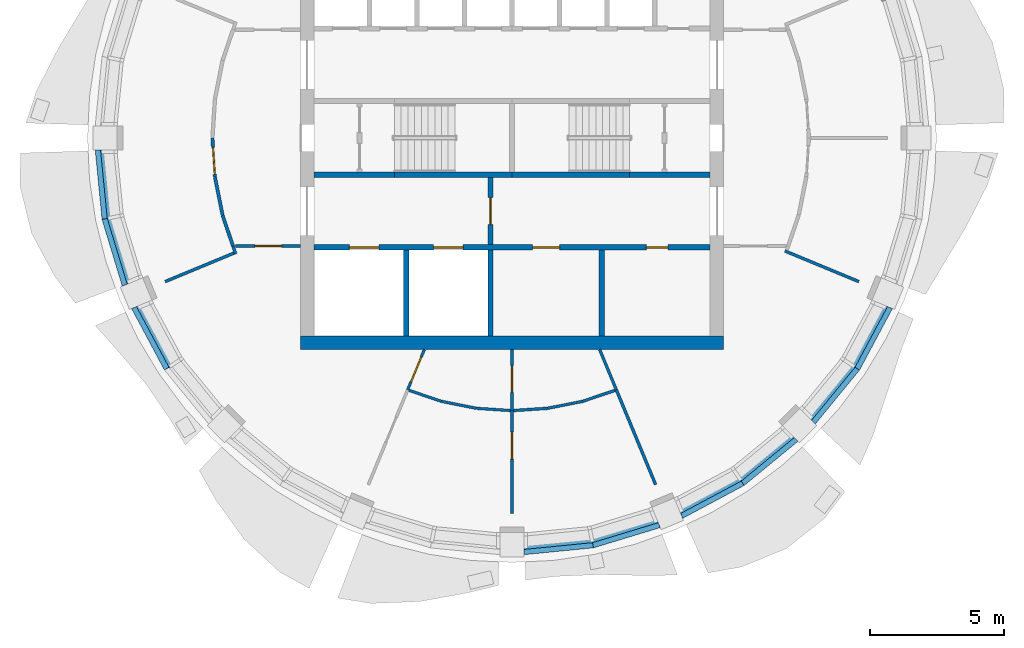
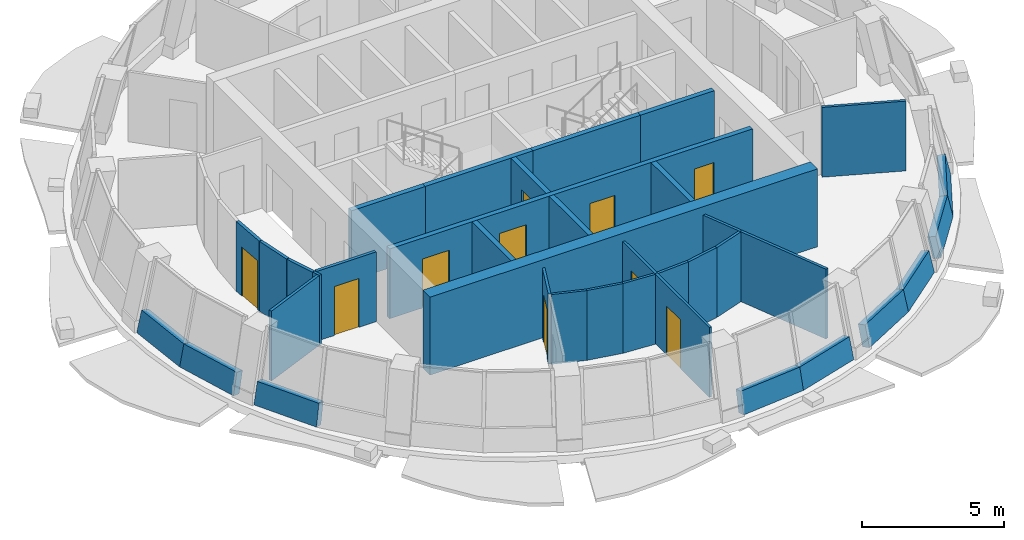
# One storey, part 4 of 11: 37 walls, 10 doors, 10 openings.
"""IFC4 building model written with IfcOpenShell, lengths in metres."""

from ifc_helpers import new_model, si_unit, direction, frame, frame_2d, origin, place, context, subcontext, project, spatial, polyline, rectangle, outline, extrude, material, layer, layer_set, type_object, element, fill, save


model = new_model("IFC4")

# Units and contexts
model_context = context("Model", 3, precision=1e-05, world=origin(), true_north=direction((0.0, 1.0)))
body_context = subcontext(model_context, "Body", "Model", "MODEL_VIEW")
ifc_project = project(units=[si_unit("LENGTHUNIT", "METRE"), si_unit("AREAUNIT", "SQUARE_METRE"), si_unit("VOLUMEUNIT", "CUBIC_METRE"), si_unit("PLANEANGLEUNIT", "RADIAN"), si_unit("MASSUNIT", "GRAM", prefix="KILO")], contexts=[model_context])

# Site, building, storey
site_placement = place(None, origin())
site = spatial("IfcSite", under=ifc_project, at=site_placement, CompositionType="ELEMENT")
building_placement = place(site_placement, origin())
building = spatial("IfcBuilding", under=site, at=building_placement, Name="Polderwave Tower", CompositionType="ELEMENT")
storey_placement = place(building_placement, frame((0.0, 0.0, 224.5)))
storey = spatial("IfcBuildingStorey", under=building, at=storey_placement, Name="L61", CompositionType="ELEMENT", Elevation=224.5)

# Walls
ifc_material_1 = material(Name="Concrete C60/75", Category="concrete")
ifc_layer_1 = layer(ifc_material_1, 0.5)
ifc_layer_set_1 = layer_set([ifc_layer_1], Name="CORE WALL 500 C60/75")
wall_type_1 = type_object("IfcWallType", Name="CORE WALL 500 C60/75", PredefinedType="SHEAR", material=ifc_layer_set_1)
wall_1_placement = place(storey_placement, frame((-7.8740234375, -7.6240234375, 0.0), z_axis=(0.0, 0.0, 1.0), x_axis=(1.0, 0.0, 0.0)))
element("IfcWall", 1, at=wall_1_placement, inside=storey, type_object=wall_type_1, Name="ST-CORE-L61-S", PredefinedType="SHEAR", context=body_context, shape_type="SweptSolid", body=[
    extrude(rectangle(XDim=15.748046875, YDim=0.5, at=frame_2d((7.8740234375, 0.0))), origin(), (0.0, 0.0, 1.0), 3.35009765625),
])
ifc_material_2 = material(Name="Concrete C50/60 (board-marked)", Category="concrete")
ifc_layer_2 = layer(ifc_material_2, 0.300048828125)
ifc_layer_set_2 = layer_set([ifc_layer_2], Name="Concrete spandrel upstand C50/60")
wall_type_2 = type_object("IfcWallType", Name="Concrete spandrel upstand C50/60", PredefinedType="SOLIDWALL", material=ifc_layer_set_2)
wall_2_placement = place(storey_placement, frame((-15.510986328125, -0.452880859375, 0.0), z_axis=(-0.972479253088, -0.09566812718, 0.212442255106), x_axis=(0.097901959696, -0.995196064235, -4.325887e-06)))
element("IfcWall", 2, at=wall_2_placement, inside=storey, type_object=wall_type_2, Name="Spandrel L61 9a", PredefinedType="SOLIDWALL", context=body_context, shape_type="SweptSolid", body=[
    extrude(outline(polyline([(0.0, 0.0), (2.5939993216077757, 0.0), (2.5747319438866563, 0.9209350939918937), (0.01923709285513683, 0.9209122974994806), (0.0, 0.0)])), origin(), (0.0, 0.0, -1.0), 0.300048828125),
])
wall_3_placement = place(storey_placement, frame((-15.257080078125, -3.034423828125, 0.0), z_axis=(-0.935039256379, -0.283799928831, 0.212506916186), x_axis=(0.290433296708, -0.95689523991, -1.257384e-06)))
element("IfcWall", 3, at=wall_3_placement, inside=storey, type_object=wall_type_2, Name="Spandrel L61 9b", PredefinedType="SOLIDWALL", context=body_context, shape_type="SweptSolid", body=[
    extrude(outline(polyline([(0.0, 0.0), (2.595007097670562, 2.7755575615628914e-17), (2.5755727980861547, 0.9209402607057845), (0.019337186771753657, 0.9209336322190266), (0.0, 0.0)])), origin(), (0.0, 0.0, -1.0), 0.300048828125),
])
wall_4_placement = place(storey_placement, frame((-14.1572265625, -6.35400390625, 0.0), z_axis=(-0.861752726177, -0.460586384793, 0.212702658821), x_axis=(0.471372223942, -0.881934366314, -3.114104e-06)))
element("IfcWall", 4, at=wall_4_placement, inside=storey, type_object=wall_type_2, Name="Spandrel L61 10a", PredefinedType="SOLIDWALL", context=body_context, shape_type="SweptSolid", body=[
    extrude(outline(polyline([(0.0, 0.0), (2.594928611274423, -2.7755575615628914e-17), (2.5753532648335606, 0.920985295043385), (0.01941529380473597, 0.9209688790606901), (0.0, 0.0)])), origin(), (0.0, 0.0, -1.0), 0.300048828125),
])
wall_5_placement = place(storey_placement, frame((0.452880859375, -15.510986328125, 0.0), z_axis=(0.09566812718, -0.972479253088, 0.212442255106), x_axis=(0.995196064235, 0.097901959696, -4.325887e-06)))
element("IfcWall", 5, at=wall_5_placement, inside=storey, type_object=wall_type_2, Name="Spandrel L61 13a", PredefinedType="SOLIDWALL", context=body_context, shape_type="SweptSolid", body=[
    extrude(outline(polyline([(0.0, 0.0), (2.5939993216077757, 0.0), (2.5747319438866563, 0.9209350939918937), (0.01923709285513683, 0.9209122974994806), (0.0, 0.0)])), origin(), (0.0, 0.0, -1.0), 0.300048828125),
])
wall_6_placement = place(storey_placement, frame((3.034423828125, -15.257080078125, 0.0), z_axis=(0.283799928831, -0.935039256379, 0.212506916186), x_axis=(0.95689523991, 0.290433296708, -1.257384e-06)))
element("IfcWall", 6, at=wall_6_placement, inside=storey, type_object=wall_type_2, Name="Spandrel L61 13b", PredefinedType="SOLIDWALL", context=body_context, shape_type="SweptSolid", body=[
    extrude(outline(polyline([(0.0, 0.0), (2.595007097670562, 2.7755575615628914e-17), (2.5755727980861547, 0.9209402607057845), (0.019337186771753657, 0.9209336322190266), (0.0, 0.0)])), origin(), (0.0, 0.0, -1.0), 0.300048828125),
])
wall_7_placement = place(storey_placement, frame((6.35400390625, -14.1572265625, 0.0), z_axis=(0.460586384793, -0.861752726177, 0.212702658821), x_axis=(0.881934366314, 0.471372223942, -3.114104e-06)))
element("IfcWall", 7, at=wall_7_placement, inside=storey, type_object=wall_type_2, Name="Spandrel L61 14a", PredefinedType="SOLIDWALL", context=body_context, shape_type="SweptSolid", body=[
    extrude(outline(polyline([(0.0, 0.0), (2.594928611274423, -2.7755575615628914e-17), (2.5753532648335606, 0.920985295043385), (0.01941529380473597, 0.9209688790606901), (0.0, 0.0)])), origin(), (0.0, 0.0, -1.0), 0.300048828125),
])
wall_8_placement = place(storey_placement, frame((8.642578125, -12.93408203125, 0.0), z_axis=(0.619832994913, -0.755344730477, 0.212747259813), x_axis=(0.77304293478, 0.634353703321, -8.415613e-06)))
element("IfcWall", 8, at=wall_8_placement, inside=storey, type_object=wall_type_2, Name="Spandrel L61 14b", PredefinedType="SOLIDWALL", context=body_context, shape_type="SweptSolid", body=[
    extrude(outline(polyline([(0.0, 0.0), (2.5937283276421317, 0.0), (2.574575610802007, 0.9210084137902412), (0.01920476721061935, 0.9209640657165162), (0.0, 0.0)])), origin(), (0.0, 0.0, -1.0), 0.300048828125),
])
wall_9_placement = place(storey_placement, frame((11.288818359375, -10.647705078125, 0.0), z_axis=(0.755409788391, -0.61984836301, 0.212471312127), x_axis=(0.634331506046, 0.77306114922, 2.160758e-06)))
element("IfcWall", 9, at=wall_9_placement, inside=storey, type_object=wall_type_2, Name="Spandrel L61 15a", PredefinedType="SOLIDWALL", context=body_context, shape_type="SweptSolid", body=[
    extrude(outline(polyline([(0.0, 0.0), (2.593728329537269, 5.551115123125783e-17), (2.5746784227651998, 0.9209239565177328), (0.019118847660090966, 0.9209353428660346), (0.0, 0.0)])), origin(), (0.0, 0.0, -1.0), 0.300048828125),
])
wall_10_placement = place(storey_placement, frame((12.93408203125, -8.642578125, 0.0), z_axis=(0.861774466564, -0.460573251826, 0.212643007131), x_axis=(0.471353411649, 0.881944420769, -1.528775e-06)))
element("IfcWall", 10, at=wall_10_placement, inside=storey, type_object=wall_type_2, Name="Spandrel L61 15b", PredefinedType="SOLIDWALL", context=body_context, shape_type="SweptSolid", body=[
    extrude(outline(polyline([(0.0, 0.0), (2.59492861148547, 0.0), (2.575513317260219, 0.9209688796464724), (0.0193600292076719, 0.9209608204871957), (0.0, 0.0)])), origin(), (0.0, 0.0, -1.0), 0.300048828125),
])

# Wall, opening, door
ifc_material_3 = material(Name="Gypsum board partition")
ifc_layer_3 = layer(ifc_material_3, 0.199951171875)
ifc_layer_set_3 = layer_set([ifc_layer_3], Name="Core room partition 200")
wall_type_3 = type_object("IfcWallType", Name="Core room partition 200", PredefinedType="PARTITIONING", material=ifc_layer_set_3)
wall_11_placement = place(storey_placement, frame((-0.800048828125, -3.97412109375, 0.0), z_axis=(0.0, 0.0, 1.0), x_axis=(0.0, 1.0, 0.0)))
wall_11 = element("IfcWall", 11, at=wall_11_placement, inside=storey, type_object=wall_type_3, Name="L61 fire-fighting lobby wall", PredefinedType="PARTITIONING", context=body_context, shape_type="SweptSolid", body=[
    extrude(rectangle(XDim=2.4990234375, YDim=0.199951171875, at=frame_2d((1.24951171875, 0.0))), origin(), (0.0, 0.0, 1.0), 3.0),
])
opening_1_placement = place(wall_11_placement, frame((0.74951171875, 0.0, 0.0)))
opening_1 = element("IfcOpeningElement", 12, at=opening_1_placement, cuts=wall_11, Name="Opening L61-D14", PredefinedType="OPENING", context=body_context, shape_type="SweptSolid", body=[
    extrude(rectangle(XDim=1.0, YDim=2.10009765625, at=frame_2d((0.5, 1.050048828125))), frame((0.0, 0.10986328125, 0.0), z_axis=(0.0, -1.0, 0.0), x_axis=(1.0, 0.0, 0.0)), (0.0, 0.0, 1.0), 0.219970703125),
])
ifc_material_4 = material(Name="Steel fire door", Category="steel")
door_type_1 = type_object("IfcDoorType", Name="Lobby fire door 1000", OperationType="NOTDEFINED", PredefinedType="DOOR", material=ifc_material_4)
door_1_placement = place(opening_1_placement, frame((1.0, 0.0, 0.0), z_axis=(0.0, 0.0, 1.0), x_axis=(-1.0, 0.0, 0.0)))
door_1 = element("IfcDoor", 13, at=door_1_placement, inside=storey, type_object=door_type_1, Name="Fire-fighting lobby door", OperationType="SINGLE_SWING_LEFT", OverallHeight=2.10009765625, OverallWidth=1.0, PredefinedType="DOOR", context=body_context, shape_type="SweptSolid", body=[
    extrude(rectangle(XDim=1.0, YDim=2.10009765625, at=frame_2d((0.5, 1.050048828125))), frame((0.0, 0.02490234375, 0.0), z_axis=(0.0, -1.0, 0.0), x_axis=(1.0, 0.0, 0.0)), (0.0, 0.0, 1.0), 0.050048828125),
])
fill(opening_1, door_1)

# Wall
wall_12_placement = place(storey_placement, frame((3.3369140625, -7.3740234375, 0.0), z_axis=(0.0, 0.0, 1.0), x_axis=(0.0, 1.0, 0.0)))
element("IfcWall", 14, at=wall_12_placement, inside=storey, type_object=wall_type_3, Name="L61 room partition S1", PredefinedType="PARTITIONING", context=body_context, shape_type="SweptSolid", body=[
    extrude(rectangle(XDim=3.199951171875, YDim=0.199951171875, at=frame_2d((1.60009765625, 0.0))), origin(), (0.0, 0.0, 1.0), 3.0),
])

# Wall, openings, doors
ifc_material_5 = material(Name="Concrete C50/60", Category="concrete")
ifc_layer_4 = layer(ifc_material_5, 0.199951171875)
ifc_layer_set_4 = layer_set([ifc_layer_4], Name="Core web wall 200")
wall_type_4 = type_object("IfcWallType", Name="Core web wall 200", PredefinedType="SHEAR", material=ifc_layer_set_4)
wall_13_placement = place(storey_placement, frame((-7.3740234375, -4.073974609375, 0.0), z_axis=(0.0, 0.0, 1.0), x_axis=(1.0, 0.0, 0.0)))
wall_13 = element("IfcWall", 15, at=wall_13_placement, inside=storey, type_object=wall_type_4, Name="L61 south front wall", PredefinedType="SHEAR", context=body_context, shape_type="SweptSolid", body=[
    extrude(rectangle(XDim=14.748046875, YDim=0.199951171875, at=frame_2d((7.3740234375, 0.0))), origin(), (0.0, 0.0, 1.0), 3.0),
])
opening_2_placement = place(wall_13_placement, frame((1.318603515625, 0.0, 0.0)))
opening_2 = element("IfcOpeningElement", 16, at=opening_2_placement, cuts=wall_13, Name="Opening L61-D01", PredefinedType="OPENING", context=body_context, shape_type="SweptSolid", body=[
    extrude(rectangle(XDim=1.10009765625, YDim=2.10009765625, at=frame_2d((0.550048828125, 1.050048828125))), frame((0.0, 0.10986328125, 0.0), z_axis=(0.0, -1.0, 0.0), x_axis=(1.0, 0.0, 0.0)), (0.0, 0.0, 1.0), 0.219970703125),
])
opening_3_placement = place(wall_13_placement, frame((4.45556640625, 0.0, 0.0)))
opening_3 = element("IfcOpeningElement", 17, at=opening_3_placement, cuts=wall_13, Name="Opening L61-D02", PredefinedType="OPENING", context=body_context, shape_type="SweptSolid", body=[
    extrude(rectangle(XDim=1.10009765625, YDim=2.10009765625, at=frame_2d((0.550048828125, 1.050048828125))), frame((0.0, 0.10986328125, 0.0), z_axis=(0.0, -1.0, 0.0), x_axis=(1.0, 0.0, 0.0)), (0.0, 0.0, 1.0), 0.219970703125),
])
opening_4_placement = place(wall_13_placement, frame((8.142578125, 0.0, 0.0)))
opening_4 = element("IfcOpeningElement", 18, at=opening_4_placement, cuts=wall_13, Name="Opening L61-D15", PredefinedType="OPENING", context=body_context, shape_type="SweptSolid", body=[
    extrude(rectangle(XDim=1.0, YDim=2.10009765625, at=frame_2d((0.5, 1.050048828125))), frame((0.0, 0.10986328125, 0.0), z_axis=(0.0, -1.0, 0.0), x_axis=(1.0, 0.0, 0.0)), (0.0, 0.0, 1.0), 0.219970703125),
])
opening_5_placement = place(wall_13_placement, frame((12.37939453125, 0.0, 0.0)))
opening_5 = element("IfcOpeningElement", 19, at=opening_5_placement, cuts=wall_13, Name="Opening L61-D16", PredefinedType="OPENING", context=body_context, shape_type="SweptSolid", body=[
    extrude(rectangle(XDim=0.800048828125, YDim=2.10009765625, at=frame_2d((0.39990234375, 1.050048828125))), frame((0.0, 0.10986328125, 0.0), z_axis=(0.0, -1.0, 0.0), x_axis=(1.0, 0.0, 0.0)), (0.0, 0.0, 1.0), 0.219970703125),
])
ifc_material_6 = material(Name="Stainless steel", Category="steel")
door_type_2 = type_object("IfcDoorType", Name="Fire-fighting lift landing door 1100", OperationType="DOUBLE_DOOR_SLIDING", PredefinedType="DOOR", material=ifc_material_6)
door_2_placement = place(opening_2_placement, origin())
door_2 = element("IfcDoor", 20, at=door_2_placement, inside=storey, type_object=door_type_2, Name="Fire-fighting lift FF1 landing door", OperationType="DOUBLE_DOOR_SLIDING", OverallHeight=2.10009765625, OverallWidth=1.10009765625, PredefinedType="DOOR", context=body_context, shape_type="SweptSolid", body=[
    extrude(rectangle(XDim=1.10009765625, YDim=2.10009765625, at=frame_2d((0.550048828125, 1.050048828125))), frame((0.0, 0.02490234375, 0.0), z_axis=(0.0, -1.0, 0.0), x_axis=(1.0, 0.0, 0.0)), (0.0, 0.0, 1.0), 0.050048828125),
])
fill(opening_2, door_2)
door_3_placement = place(opening_3_placement, origin())
door_3 = element("IfcDoor", 21, at=door_3_placement, inside=storey, type_object=door_type_2, Name="Fire-fighting lift FF2 landing door", OperationType="DOUBLE_DOOR_SLIDING", OverallHeight=2.10009765625, OverallWidth=1.10009765625, PredefinedType="DOOR", context=body_context, shape_type="SweptSolid", body=[
    extrude(rectangle(XDim=1.10009765625, YDim=2.10009765625, at=frame_2d((0.550048828125, 1.050048828125))), frame((0.0, 0.02490234375, 0.0), z_axis=(0.0, -1.0, 0.0), x_axis=(1.0, 0.0, 0.0)), (0.0, 0.0, 1.0), 0.050048828125),
])
fill(opening_3, door_3)
door_type_3 = type_object("IfcDoorType", Name="Riser door 800", OperationType="NOTDEFINED", PredefinedType="DOOR", material=ifc_material_4)
door_4_placement = place(opening_5_placement, origin())
door_4 = element("IfcDoor", 22, at=door_4_placement, inside=storey, type_object=door_type_3, Name="Switch room door", OperationType="SINGLE_SWING_RIGHT", OverallHeight=2.10009765625, OverallWidth=0.800048828125, PredefinedType="DOOR", context=body_context, shape_type="SweptSolid", body=[
    extrude(rectangle(XDim=0.800048828125, YDim=2.10009765625, at=frame_2d((0.39990234375, 1.050048828125))), frame((0.0, 0.02490234375, 0.0), z_axis=(0.0, -1.0, 0.0), x_axis=(1.0, 0.0, 0.0)), (0.0, 0.0, 1.0), 0.050048828125),
])
fill(opening_5, door_4)
ifc_material_7 = material(Name="Timber door leaf", Category="wood")
door_type_4 = type_object("IfcDoorType", Name="Room door 1000", OperationType="NOTDEFINED", PredefinedType="DOOR", material=ifc_material_7)
door_5_placement = place(opening_4_placement, origin())
door_5 = element("IfcDoor", 23, at=door_5_placement, inside=storey, type_object=door_type_4, Name="Plant room door", OperationType="SINGLE_SWING_RIGHT", OverallHeight=2.10009765625, OverallWidth=1.0, PredefinedType="DOOR", context=body_context, shape_type="SweptSolid", body=[
    extrude(rectangle(XDim=1.0, YDim=2.10009765625, at=frame_2d((0.5, 1.050048828125))), frame((0.0, 0.02490234375, 0.0), z_axis=(0.0, -1.0, 0.0), x_axis=(1.0, 0.0, 0.0)), (0.0, 0.0, 1.0), 0.050048828125),
])
fill(opening_4, door_5)

# Walls
wall_14_placement = place(storey_placement, frame((-7.3740234375, -1.375, 0.0), z_axis=(0.0, 0.0, 1.0), x_axis=(1.0, 0.0, 0.0)))
element("IfcWall", 24, at=wall_14_placement, inside=storey, type_object=wall_type_4, Name="L61 south stair wall 1", PredefinedType="SHEAR", context=body_context, shape_type="SweptSolid", body=[
    extrude(rectangle(XDim=3.0, YDim=0.199951171875, at=frame_2d((1.5, 0.0))), origin(), (0.0, 0.0, 1.0), 3.0),
])
for number, where, z_axis, x_axis, name in (
    (25, (-4.3740234375, -1.375, 0.0), (0.0, 0.0, 1.0), (1.0, 0.0, 0.0), "L61 south stair wall 2"),
    (26, (0.0, -1.375, 0.0), (0.0, 0.0, 1.0), (1.0, 0.0, 0.0), "L61 south stair wall 3"),
):
    element("IfcWall", number, at=place(storey_placement, frame(where, z_axis=z_axis, x_axis=x_axis)), inside=storey, type_object=wall_type_4, Name=name, PredefinedType="SHEAR", context=body_context, shape_type="SweptSolid", body=[
        extrude(rectangle(XDim=4.3740234375, YDim=0.199951171875, at=frame_2d((2.18701171875, 0.0))), origin(), (0.0, 0.0, 1.0), 3.0),
    ])
wall_15_placement = place(storey_placement, frame((4.3740234375, -1.375, 0.0), z_axis=(0.0, 0.0, 1.0), x_axis=(1.0, 0.0, 0.0)))
element("IfcWall", 27, at=wall_15_placement, inside=storey, type_object=wall_type_4, Name="L61 south stair wall 4", PredefinedType="SHEAR", context=body_context, shape_type="SweptSolid", body=[
    extrude(rectangle(XDim=3.0, YDim=0.199951171875, at=frame_2d((1.5, 0.0))), origin(), (0.0, 0.0, 1.0), 3.0),
])

# Wall, opening, door
ifc_material_8 = material(Name="Fire-resisting board on steel studs", Category="steel")
ifc_layer_5 = layer(ifc_material_8, 0.125)
ifc_layer_set_5 = layer_set([ifc_layer_5], Name="Corridor wall 125 mm EI 60")
wall_type_5 = type_object("IfcWallType", Name="Corridor wall 125 mm EI 60", PredefinedType="PARTITIONING", material=ifc_layer_set_5)
wall_16_placement = place(storey_placement, frame((-11.054931640625, -1.451416015625, 0.0), z_axis=(0.0, 0.0, 1.0), x_axis=(-0.065312343013, 0.997864869534, 0.0)))
wall_16 = element("IfcWall", 28, at=wall_16_placement, inside=storey, type_object=wall_type_5, Name="IN-L61-W011", PredefinedType="PARTITIONING", context=body_context, shape_type="SweptSolid", body=[
    extrude(rectangle(XDim=1.450439453125, YDim=0.125, at=frame_2d((0.72509765625, 0.0))), origin(), (0.0, 0.0, 1.0), 3.0),
])
opening_6_placement = place(wall_16_placement, frame((0.10009765625, 0.0, 0.0)))
opening_6 = element("IfcOpeningElement", 29, at=opening_6_placement, cuts=wall_16, Name="Opening L61-D55", PredefinedType="OPENING", context=body_context, shape_type="SweptSolid", body=[
    extrude(rectangle(XDim=1.0, YDim=2.10009765625, at=frame_2d((0.5, 1.050048828125))), frame((0.0, 0.072509765625, 0.0), z_axis=(0.0, -1.0, 0.0), x_axis=(1.0, 0.0, 0.0)), (0.0, 0.0, 1.0), 0.14501953125),
])
ifc_material_9 = material(Name="Timber fire door leaf", Category="wood")
door_type_5 = type_object("IfcDoorType", Name="Fire door FD30S 1000 x 2100", OperationType="NOTDEFINED", PredefinedType="DOOR", material=ifc_material_9)
door_6_placement = place(opening_6_placement, origin())
door_6 = element("IfcDoor", 30, at=door_6_placement, inside=storey, type_object=door_type_5, Name="Door L61-D55", OperationType="SINGLE_SWING_LEFT", OverallHeight=2.10009765625, OverallWidth=1.0, PredefinedType="DOOR", context=body_context, shape_type="SweptSolid", body=[
    extrude(rectangle(XDim=1.0, YDim=2.10009765625, at=frame_2d((0.5, 1.050048828125))), frame((0.0, 0.02490234375, 0.0), z_axis=(0.0, -1.0, 0.0), x_axis=(1.0, 0.0, 0.0)), (0.0, 0.0, 1.0), 0.050048828125),
])
fill(opening_6, door_6)

# Walls
wall_17_placement = place(storey_placement, frame((-10.77099609375, -2.8818359375, 0.0), z_axis=(0.0, 0.0, 1.0), x_axis=(-0.194950489496, 0.980813084459, 0.0)))
element("IfcWall", 31, at=wall_17_placement, inside=storey, type_object=wall_type_5, Name="IN-L61-W013", PredefinedType="PARTITIONING", context=body_context, shape_type="SweptSolid", body=[
    extrude(rectangle(XDim=1.4501953125, YDim=0.125, at=frame_2d((0.72509765625, 0.0))), origin(), (0.0, 0.0, 1.0), 3.0),
])
wall_18_placement = place(storey_placement, frame((-10.383544921875, -4.0244140625, 0.0), z_axis=(0.0, 0.0, 1.0), x_axis=(-0.321479033524, 0.946916696972, 0.0)))
element("IfcWall", 32, at=wall_18_placement, inside=storey, type_object=wall_type_5, Name="IN-L61-W015", PredefinedType="PARTITIONING", context=body_context, shape_type="SweptSolid", body=[
    extrude(rectangle(XDim=1.198486328125, YDim=0.125, at=frame_2d((0.59912109375, 0.0))), origin(), (0.0, 0.0, 1.0), 3.0),
])

# Wall, opening, door
wall_19_placement = place(storey_placement, frame((-7.8740234375, -4.0244140625, 0.0), z_axis=(0.0, 0.0, 1.0), x_axis=(-1.0, 0.0, 0.0)))
wall_19 = element("IfcWall", 33, at=wall_19_placement, inside=storey, type_object=wall_type_5, Name="IN-L61-W016", PredefinedType="PARTITIONING", context=body_context, shape_type="SweptSolid", body=[
    extrude(rectangle(XDim=2.42236328125, YDim=0.125, at=frame_2d((1.211181640625, 0.0))), origin(), (0.0, 0.0, 1.0), 3.0),
])
opening_7_placement = place(wall_19_placement, frame((0.699951171875, 0.0, 0.0)))
opening_7 = element("IfcOpeningElement", 34, at=opening_7_placement, cuts=wall_19, Name="Opening L61-D56", PredefinedType="OPENING", context=body_context, shape_type="SweptSolid", body=[
    extrude(rectangle(XDim=1.0, YDim=2.10009765625, at=frame_2d((0.5, 1.050048828125))), frame((0.0, 0.072509765625, 0.0), z_axis=(0.0, -1.0, 0.0), x_axis=(1.0, 0.0, 0.0)), (0.0, 0.0, 1.0), 0.14501953125),
])
door_7_placement = place(opening_7_placement, origin())
door_7 = element("IfcDoor", 35, at=door_7_placement, inside=storey, type_object=door_type_5, Name="Door L61-D56", OperationType="SINGLE_SWING_LEFT", OverallHeight=2.10009765625, OverallWidth=1.0, PredefinedType="DOOR", context=body_context, shape_type="SweptSolid", body=[
    extrude(rectangle(XDim=1.0, YDim=2.10009765625, at=frame_2d((0.5, 1.050048828125))), frame((0.0, 0.02490234375, 0.0), z_axis=(0.0, -1.0, 0.0), x_axis=(1.0, 0.0, 0.0)), (0.0, 0.0, 1.0), 0.050048828125),
])
fill(opening_7, door_7)

ifc_material_10 = material(Name="Plasterboard on steel studs", Category="steel")
ifc_layer_6 = layer(ifc_material_10, 0.10009765625)
ifc_layer_set_6 = layer_set([ifc_layer_6], Name="Partition 100 mm plasterboard on steel studs")
wall_type_6 = type_object("IfcWallType", Name="Partition 100 mm plasterboard on steel studs", PredefinedType="PARTITIONING", material=ifc_layer_set_6)
wall_20_placement = place(storey_placement, frame((-3.261474609375, -7.8740234375, 0.0), z_axis=(0.0, 0.0, 1.0), x_axis=(-0.382718376354, -0.923865057463, 0.0)))
wall_20 = element("IfcWall", 36, at=wall_20_placement, inside=storey, type_object=wall_type_6, Name="IN-L61-W038", PredefinedType="PARTITIONING", context=body_context, shape_type="SweptSolid", body=[
    extrude(rectangle(XDim=1.627197265625, YDim=0.10009765625, at=frame_2d((0.8134765625, 0.0))), origin(), (0.0, 0.0, 1.0), 3.0),
])
opening_8_placement = place(wall_20_placement, frame((0.300048828125, 0.0, 0.0)))
opening_8 = element("IfcOpeningElement", 37, at=opening_8_placement, cuts=wall_20, Name="Opening L61-D63", PredefinedType="OPENING", context=body_context, shape_type="SweptSolid", body=[
    extrude(rectangle(XDim=1.0, YDim=2.10009765625, at=frame_2d((0.5, 1.050048828125))), frame((0.0, 0.06005859375, 0.0), z_axis=(0.0, -1.0, 0.0), x_axis=(1.0, 0.0, 0.0)), (0.0, 0.0, 1.0), 0.1201171875),
])
ifc_material_11 = material(Name="Timber veneer door leaf", Category="wood")
door_type_6 = type_object("IfcDoorType", Name="Single door 1000 x 2100", OperationType="NOTDEFINED", PredefinedType="DOOR", material=ifc_material_11)
door_8_placement = place(opening_8_placement, origin())
door_8 = element("IfcDoor", 38, at=door_8_placement, inside=storey, type_object=door_type_6, Name="Door L61-D63", OperationType="SINGLE_SWING_LEFT", OverallHeight=2.10009765625, OverallWidth=1.0, PredefinedType="DOOR", context=body_context, shape_type="SweptSolid", body=[
    extrude(rectangle(XDim=1.0, YDim=2.10009765625, at=frame_2d((0.5, 1.050048828125))), frame((0.0, 0.02490234375, 0.0), z_axis=(0.0, -1.0, 0.0), x_axis=(1.0, 0.0, 0.0)), (0.0, 0.0, 1.0), 0.050048828125),
])
fill(opening_8, door_8)

# Walls
wall_21_placement = place(storey_placement, frame((-2.630126953125, -9.802978515625, 0.0), z_axis=(0.0, 0.0, 1.0), x_axis=(-0.946940072487, 0.321410172706, 0.0)))
element("IfcWall", 39, at=wall_21_placement, inside=storey, type_object=wall_type_6, Name="IN-L61-W040", PredefinedType="PARTITIONING", context=body_context, shape_type="SweptSolid", body=[
    extrude(rectangle(XDim=1.270751953125, YDim=0.10009765625, at=frame_2d((0.63525390625, 0.0))), origin(), (0.0, 0.0, 1.0), 3.0),
])
wall_22_placement = place(storey_placement, frame((-1.327880859375, -10.0625, 0.0), z_axis=(0.0, 0.0, 1.0), x_axis=(-0.980779158075, 0.195121098517, 0.0)))
element("IfcWall", 40, at=wall_22_placement, inside=storey, type_object=wall_type_6, Name="IN-L61-W041", PredefinedType="PARTITIONING", context=body_context, shape_type="SweptSolid", body=[
    extrude(rectangle(XDim=1.3212890625, YDim=0.10009765625, at=frame_2d((0.66064453125, 0.0))), origin(), (0.0, 0.0, 1.0), 3.0),
])
wall_23_placement = place(storey_placement, frame((-0.055908203125, -10.146240234375, 0.0), z_axis=(0.0, 0.0, 1.0), x_axis=(-0.997868677089, 0.065254143814, 0.0)))
element("IfcWall", 41, at=wall_23_placement, inside=storey, type_object=wall_type_6, Name="IN-L61-W042", PredefinedType="PARTITIONING", context=body_context, shape_type="SweptSolid", body=[
    extrude(rectangle(XDim=1.268310546875, YDim=0.10009765625, at=frame_2d((0.63427734375, 0.0))), origin(), (0.0, 0.0, 1.0), 3.0),
])

# Wall, opening, door
wall_24_placement = place(storey_placement, frame((0.0, -10.14990234375, 0.0), z_axis=(0.0, 0.0, 1.0), x_axis=(0.0, -1.0, 0.0)))
wall_24 = element("IfcWall", 42, at=wall_24_placement, inside=storey, type_object=wall_type_6, Name="IN-L61-W044", PredefinedType="PARTITIONING", context=body_context, shape_type="SweptSolid", body=[
    extrude(rectangle(XDim=3.820068359375, YDim=0.10009765625, at=frame_2d((1.91015625, 0.0))), origin(), (0.0, 0.0, 1.0), 3.0),
])
opening_9_placement = place(wall_24_placement, frame((0.800048828125, 0.0, 0.0)))
opening_9 = element("IfcOpeningElement", 43, at=opening_9_placement, cuts=wall_24, Name="Opening L61-D66", PredefinedType="OPENING", context=body_context, shape_type="SweptSolid", body=[
    extrude(rectangle(XDim=1.0, YDim=2.10009765625, at=frame_2d((0.5, 1.050048828125))), frame((0.0, 0.06005859375, 0.0), z_axis=(0.0, -1.0, 0.0), x_axis=(1.0, 0.0, 0.0)), (0.0, 0.0, 1.0), 0.1201171875),
])
door_9_placement = place(opening_9_placement, origin())
door_9 = element("IfcDoor", 44, at=door_9_placement, inside=storey, type_object=door_type_6, Name="Door L61-D66", OperationType="SINGLE_SWING_LEFT", OverallHeight=2.10009765625, OverallWidth=1.0, PredefinedType="DOOR", context=body_context, shape_type="SweptSolid", body=[
    extrude(rectangle(XDim=1.0, YDim=2.10009765625, at=frame_2d((0.5, 1.050048828125))), frame((0.0, 0.02490234375, 0.0), z_axis=(0.0, -1.0, 0.0), x_axis=(1.0, 0.0, 0.0)), (0.0, 0.0, 1.0), 0.050048828125),
])
fill(opening_9, door_9)

ifc_material_12 = material(Name="Moisture-resistant board on steel studs, tiled", Category="steel")
ifc_layer_7 = layer(ifc_material_12, 0.10498046875)
ifc_layer_set_7 = layer_set([ifc_layer_7], Name="Partition 105 mm wet room board and tile")
wall_type_7 = type_object("IfcWallType", Name="Partition 105 mm wet room board and tile", PredefinedType="PARTITIONING", material=ifc_layer_set_7)
wall_25_placement = place(storey_placement, frame((0.0, -7.8740234375, 0.0), z_axis=(0.0, 0.0, 1.0), x_axis=(0.0, -1.0, 0.0)))
wall_25 = element("IfcWall", 45, at=wall_25_placement, inside=storey, type_object=wall_type_7, Name="IN-L61-W043", PredefinedType="PARTITIONING", context=body_context, shape_type="SweptSolid", body=[
    extrude(rectangle(XDim=2.27587890625, YDim=0.10498046875, at=frame_2d((1.137939453125, 0.0))), origin(), (0.0, 0.0, 1.0), 3.0),
])
opening_10_placement = place(wall_25_placement, frame((0.60009765625, 0.0, 0.0)))
opening_10 = element("IfcOpeningElement", 46, at=opening_10_placement, cuts=wall_25, Name="Opening L61-D65", PredefinedType="OPENING", context=body_context, shape_type="SweptSolid", body=[
    extrude(rectangle(XDim=1.0, YDim=2.10009765625, at=frame_2d((0.5, 1.050048828125))), frame((0.0, 0.0625, 0.0), z_axis=(0.0, -1.0, 0.0), x_axis=(1.0, 0.0, 0.0)), (0.0, 0.0, 1.0), 0.125),
])
door_10_placement = place(opening_10_placement, origin())
door_10 = element("IfcDoor", 47, at=door_10_placement, inside=storey, type_object=door_type_6, Name="Door L61-D65", OperationType="SINGLE_SWING_LEFT", OverallHeight=2.10009765625, OverallWidth=1.0, PredefinedType="DOOR", context=body_context, shape_type="SweptSolid", body=[
    extrude(rectangle(XDim=1.0, YDim=2.10009765625, at=frame_2d((0.5, 1.050048828125))), frame((0.0, 0.02490234375, 0.0), z_axis=(0.0, -1.0, 0.0), x_axis=(1.0, 0.0, 0.0)), (0.0, 0.0, 1.0), 0.050048828125),
])
fill(opening_10, door_10)

# Walls
wall_26_placement = place(storey_placement, frame((1.3212890625, -10.0634765625, 0.0), z_axis=(0.0, 0.0, 1.0), x_axis=(-0.99786785721, -0.065266680223, 0.0)))
element("IfcWall", 48, at=wall_26_placement, inside=storey, type_object=wall_type_7, Name="IN-L61-W045", PredefinedType="PARTITIONING", context=body_context, shape_type="SweptSolid", body=[
    extrude(rectangle(XDim=1.26806640625, YDim=0.10498046875, at=frame_2d((0.634033203125, 0.0))), origin(), (0.0, 0.0, 1.0), 3.0),
])
wall_27_placement = place(storey_placement, frame((2.62353515625, -9.8046875, 0.0), z_axis=(0.0, 0.0, 1.0), x_axis=(-0.980765080918, -0.195191844223, 0.0)))
element("IfcWall", 49, at=wall_27_placement, inside=storey, type_object=wall_type_7, Name="IN-L61-W046", PredefinedType="PARTITIONING", context=body_context, shape_type="SweptSolid", body=[
    extrude(rectangle(XDim=1.32080078125, YDim=0.10498046875, at=frame_2d((0.660400390625, 0.0))), origin(), (0.0, 0.0, 1.0), 3.0),
])
wall_28_placement = place(storey_placement, frame((3.82861328125, -9.396240234375, 0.0), z_axis=(0.0, 0.0, 1.0), x_axis=(-0.946932566751, -0.321432285291, 0.0)))
element("IfcWall", 50, at=wall_28_placement, inside=storey, type_object=wall_type_7, Name="IN-L61-W047", PredefinedType="PARTITIONING", context=body_context, shape_type="SweptSolid", body=[
    extrude(rectangle(XDim=1.265380859375, YDim=0.10498046875, at=frame_2d((0.6328125, 0.0))), origin(), (0.0, 0.0, 1.0), 3.0),
])
wall_29_placement = place(storey_placement, frame((3.261474609375, -7.8740234375, 0.0), z_axis=(0.0, 0.0, 1.0), x_axis=(0.382718376354, -0.923865057463, 0.0)))
element("IfcWall", 51, at=wall_29_placement, inside=storey, type_object=wall_type_7, Name="IN-L61-W048", PredefinedType="PARTITIONING", context=body_context, shape_type="SweptSolid", body=[
    extrude(rectangle(XDim=1.627197265625, YDim=0.10498046875, at=frame_2d((0.8134765625, 0.0))), origin(), (0.0, 0.0, 1.0), 3.0),
])
ifc_material_13 = material(Name="Acoustic double plasterboard on steel studs", Category="steel")
ifc_layer_8 = layer(ifc_material_13, 0.110107421875)
ifc_layer_set_8 = layer_set([ifc_layer_8], Name="Partition 110 mm acoustic double board")
wall_type_8 = type_object("IfcWallType", Name="Partition 110 mm acoustic double board", PredefinedType="PARTITIONING", material=ifc_layer_set_8)
wall_30_placement = place(storey_placement, frame((-10.383544921875, -4.0244140625, 0.0), z_axis=(0.0, 0.0, 1.0), x_axis=(0.320931919594, -0.947102266382, 0.0)))
element("IfcWall", 52, at=wall_30_placement, inside=storey, type_object=wall_type_8, Name="IN-L61-W036", PredefinedType="PARTITIONING", context=body_context, shape_type="SweptSolid", body=[
    extrude(rectangle(XDim=0.31103515625, YDim=0.110107421875, at=frame_2d((0.155517578125, 0.0))), origin(), (0.0, 0.0, 1.0), 3.0),
])
wall_31_placement = place(storey_placement, frame((-10.355712890625, -4.289306640625, 0.0), z_axis=(0.0, 0.0, 1.0), x_axis=(-0.923838989754, -0.382781296578, 0.0)))
element("IfcWall", 53, at=wall_31_placement, inside=storey, type_object=wall_type_8, Name="IN-L61-W037", PredefinedType="PARTITIONING", context=body_context, shape_type="SweptSolid", body=[
    extrude(rectangle(XDim=2.760986328125, YDim=0.110107421875, at=frame_2d((1.38037109375, 0.0))), origin(), (0.0, 0.0, 1.0), 3.0),
])
wall_32_placement = place(storey_placement, frame((3.88427734375, -9.37744140625, 0.0), z_axis=(0.0, 0.0, 1.0), x_axis=(0.382713052283, -0.923867262983, 0.0)))
element("IfcWall", 54, at=wall_32_placement, inside=storey, type_object=wall_type_8, Name="IN-L61-W049", PredefinedType="PARTITIONING", context=body_context, shape_type="SweptSolid", body=[
    extrude(rectangle(XDim=3.81982421875, YDim=0.110107421875, at=frame_2d((1.909912109375, 0.0))), origin(), (0.0, 0.0, 1.0), 3.0),
])
wall_33_placement = place(storey_placement, frame((10.158203125, -4.207763671875, 0.0), z_axis=(0.0, 0.0, 1.0), x_axis=(0.923873789219, -0.382697297604, 0.0)))
element("IfcWall", 55, at=wall_33_placement, inside=storey, type_object=wall_type_8, Name="IN-L61-W050", PredefinedType="PARTITIONING", context=body_context, shape_type="SweptSolid", body=[
    extrude(rectangle(XDim=2.974853515625, YDim=0.110107421875, at=frame_2d((1.4873046875, 0.0))), origin(), (0.0, 0.0, 1.0), 3.0),
])
ifc_material_14 = material(Name="Gypsum shaft wall system")
ifc_layer_9 = layer(ifc_material_14, 0.199951171875)
ifc_layer_set_9 = layer_set([ifc_layer_9], Name="Shaft wall 200")
wall_type_9 = type_object("IfcWallType", Name="Shaft wall 200", PredefinedType="PARTITIONING", material=ifc_layer_set_9)
for number, where, z_axis, x_axis, name in (
    (56, (-3.93701171875, -7.3740234375, 0.0), (0.0, 0.0, 1.0), (0.0, 1.0, 0.0), "L61 fire-fighting shaft wall 1"),
    (57, (-0.800048828125, -7.3740234375, 0.0), (0.0, 0.0, 1.0), (0.0, 1.0, 0.0), "L61 fire-fighting shaft wall 2"),
):
    element("IfcWall", number, at=place(storey_placement, frame(where, z_axis=z_axis, x_axis=x_axis)), inside=storey, type_object=wall_type_9, Name=name, PredefinedType="PARTITIONING", context=body_context, shape_type="SweptSolid", body=[
        extrude(rectangle(XDim=3.199951171875, YDim=0.199951171875, at=frame_2d((1.60009765625, 0.0))), origin(), (0.0, 0.0, 1.0), 3.0),
    ])

save(model, "model.ifc")
